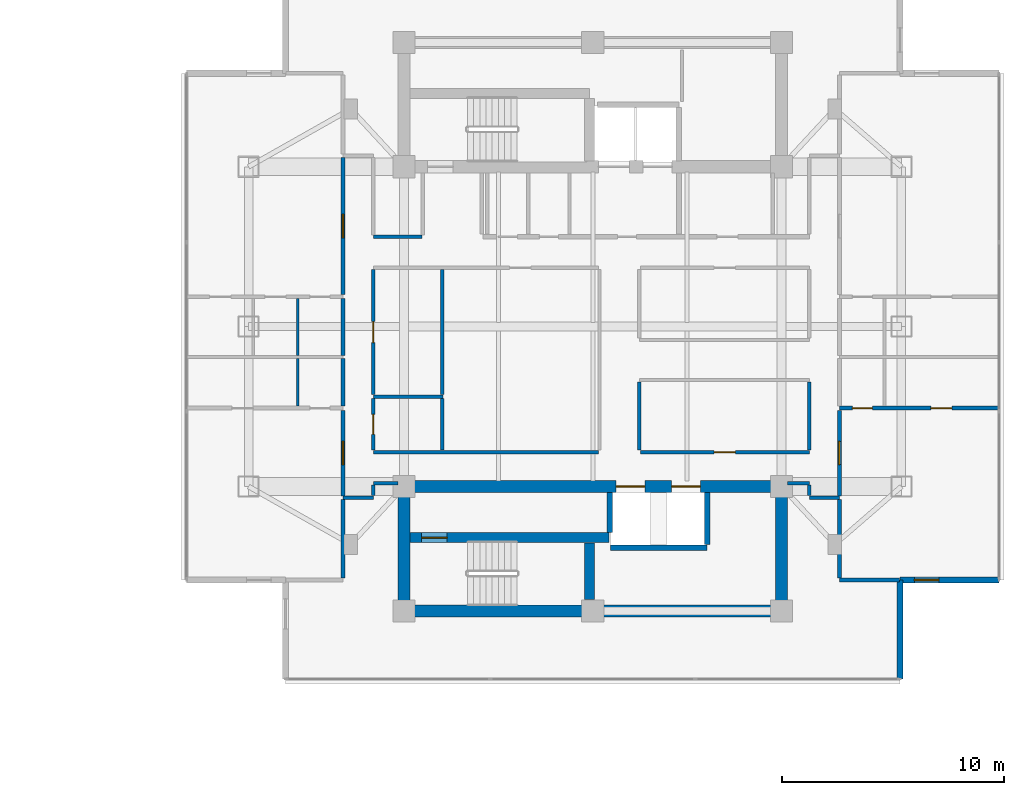
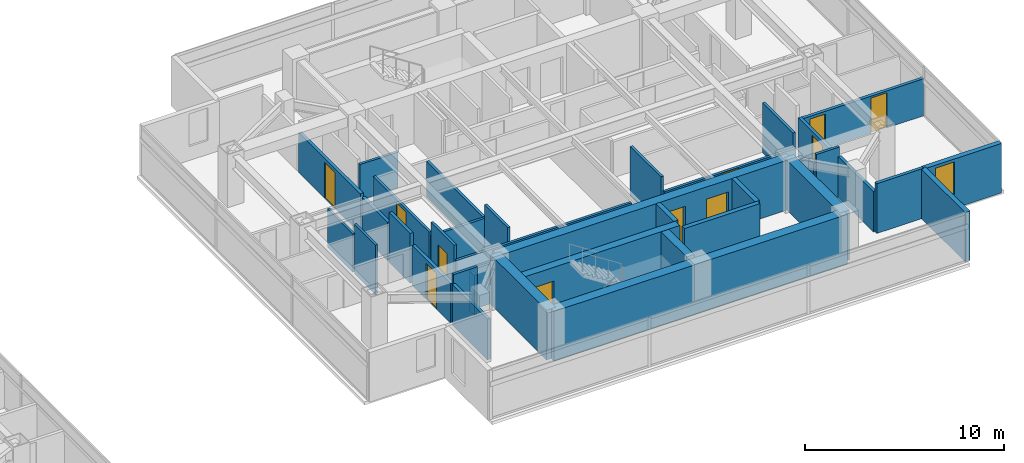
# One storey, part 17 of 25: 38 walls, 11 doors, 1 window, 12 openings.
"""IFC4 building model written with IfcOpenShell, lengths in metres."""

from ifc_helpers import new_model, si_unit, direction, frame, frame_2d, origin, place, context, subcontext, project, spatial, rectangle, extrude, material, layer, layer_set, type_object, element, fill, save


model = new_model("IFC4")

# Units and contexts
model_context = context("Model", 3, precision=1e-05, world=origin(), true_north=direction((0.0, 1.0)))
body_context = subcontext(model_context, "Body", "Model", "MODEL_VIEW")
ifc_project = project(units=[si_unit("LENGTHUNIT", "METRE"), si_unit("AREAUNIT", "SQUARE_METRE"), si_unit("VOLUMEUNIT", "CUBIC_METRE"), si_unit("PLANEANGLEUNIT", "RADIAN"), si_unit("MASSUNIT", "GRAM", prefix="KILO")], contexts=[model_context])

# Site, building, storey
site_placement = place(None, origin())
site = spatial("IfcSite", under=ifc_project, at=site_placement, CompositionType="ELEMENT")
building_placement = place(site_placement, origin())
building = spatial("IfcBuilding", under=site, at=building_placement, Name="Mirazonda Arch Towers", CompositionType="ELEMENT")
storey_placement = place(building_placement, frame((0.0, 0.0, 177.14990234375)))
storey = spatial("IfcBuildingStorey", under=building, at=storey_placement, Name="L50", CompositionType="ELEMENT", Elevation=177.14990234375)

# Wall, opening, door
ifc_material_1 = material(Name="Concrete C50/60", Category="concrete")
ifc_layer_1 = layer(ifc_material_1, 0.449951171875, Name="WALL-CORE-450")
ifc_layer_set_1 = layer_set([ifc_layer_1], Name="Concrete C50/60")
wall_type_1 = type_object("IfcWallType", Name="WALL-CORE-450", PredefinedType="SHEAR", material=ifc_layer_set_1)
wall_1_placement = place(storey_placement, frame((68.27001953125, 18.5, 0.0), z_axis=(0.0, 0.0, 1.0), x_axis=(1.0, 0.0, 0.0)))
wall_1 = element("IfcWall", 1, at=wall_1_placement, inside=storey, type_object=wall_type_1, Name="L50 Stair Core Shear Wall 013", PredefinedType="SHEAR", context=body_context, shape_type="SweptSolid", body=[
    extrude(rectangle(XDim=8.949951171875, YDim=0.449951171875, at=frame_2d((4.47509765625, 0.0))), origin(), (0.0, 0.0, 1.0), 3.050048828125),
])
opening_1_placement = place(wall_1_placement, frame((0.52001953125, 0.0, 0.0)))
opening_1 = element("IfcOpeningElement", 2, at=opening_1_placement, cuts=wall_1, Name="Opening DR-135", PredefinedType="OPENING", context=body_context, shape_type="SweptSolid", body=[
    extrude(rectangle(XDim=1.14990234375, YDim=2.199951171875, at=frame_2d((0.574951171875, 1.10009765625))), frame((0.0, 0.23486328125, 0.0), z_axis=(0.0, -1.0, 0.0), x_axis=(1.0, 0.0, 0.0)), (0.0, 0.0, 1.0), 0.469970703125),
])
ifc_material_2 = material(Name="Architectural Brushed Steel S355", Category="steel")
door_type_1 = type_object("IfcDoorType", Name="DOOR-STAIR-FD90-1150", OperationType="NOTDEFINED", PredefinedType="DOOR", material=ifc_material_2)
door_1_placement = place(opening_1_placement, origin())
door_1 = element("IfcDoor", 3, at=door_1_placement, inside=storey, type_object=door_type_1, Name="L50 East Protected Stair South Door", OperationType="SINGLE_SWING_RIGHT", OverallHeight=2.199951171875, OverallWidth=1.14990234375, PredefinedType="DOOR", context=body_context, shape_type="SweptSolid", body=[
    extrude(rectangle(XDim=1.14990234375, YDim=2.199951171875, at=frame_2d((0.574951171875, 1.10009765625))), frame((0.0, 0.02490234375, 0.0), z_axis=(0.0, -1.0, 0.0), x_axis=(1.0, 0.0, 0.0)), (0.0, 0.0, 1.0), 0.050048828125),
])
fill(opening_1, door_1)

# Walls
wall_2_placement = place(storey_placement, frame((76.360107421875, 15.715087890625, 0.0), z_axis=(0.0, 0.0, 1.0), x_axis=(0.0, 1.0, 0.0)))
element("IfcWall", 4, at=wall_2_placement, inside=storey, type_object=wall_type_1, Name="L50 Stair Core Shear Wall 158", PredefinedType="SHEAR", context=body_context, shape_type="SweptSolid", body=[
    extrude(rectangle(XDim=2.5498046875, YDim=0.449951171875, at=frame_2d((1.27490234375, 0.0))), origin(), (0.0, 0.0, 1.0), 3.050048828125),
])
ifc_layer_2 = layer(ifc_material_1, 0.550048828125, Name="WALL-CORE-550")
ifc_layer_set_2 = layer_set([ifc_layer_2], Name="Concrete C50/60")
wall_type_2 = type_object("IfcWallType", Name="WALL-CORE-550", PredefinedType="SHEAR", material=ifc_layer_set_2)
wall_3_placement = place(storey_placement, frame((68.0, 15.199951171875, 0.0), z_axis=(0.0, 0.0, 1.0), x_axis=(1.0, 0.0, 0.0)))
element("IfcWall", 5, at=wall_3_placement, inside=storey, type_object=wall_type_2, Name="L50 T2S-S Core Shear Wall", PredefinedType="SHEAR", context=body_context, shape_type="SweptSolid", body=[
    extrude(rectangle(XDim=17.0, YDim=0.550048828125, at=frame_2d((8.5, 0.0))), origin(), (0.0, 0.0, 1.0), 3.050048828125),
])
for number, where, z_axis, x_axis, name in (
    (6, (68.0, 15.199951171875, 0.0), (0.0, 0.0, 1.0), (0.0, 1.0, 0.0), "L50 T2S-W Core Shear Wall"),
    (7, (85.0, 15.199951171875, 0.0), (0.0, 0.0, 1.0), (0.0, 1.0, 0.0), "L50 T2S-E Core Shear Wall"),
):
    element("IfcWall", number, at=place(storey_placement, frame(where, z_axis=z_axis, x_axis=x_axis)), inside=storey, type_object=wall_type_2, Name=name, PredefinedType="SHEAR", context=body_context, shape_type="SweptSolid", body=[
        extrude(rectangle(XDim=5.60009765625, YDim=0.550048828125, at=frame_2d((2.800048828125, 0.0))), origin(), (0.0, 0.0, 1.0), 3.050048828125),
    ])

# Wall, openings, doors
wall_4_placement = place(storey_placement, frame((68.0, 20.800048828125, 0.0), z_axis=(0.0, 0.0, 1.0), x_axis=(1.0, 0.0, 0.0)))
wall_4 = element("IfcWall", 8, at=wall_4_placement, inside=storey, type_object=wall_type_2, Name="L50 T2S-N Core Shear Wall", PredefinedType="SHEAR", context=body_context, shape_type="SweptSolid", body=[
    extrude(rectangle(XDim=17.0, YDim=0.550048828125, at=frame_2d((8.5, 0.0))), origin(), (0.0, 0.0, 1.0), 3.050048828125),
])
opening_2_placement = place(wall_4_placement, frame((9.550048828125, 0.0, 0.0)))
opening_2 = element("IfcOpeningElement", 9, at=opening_2_placement, cuts=wall_4, Name="Opening LD-111", PredefinedType="OPENING", context=body_context, shape_type="SweptSolid", body=[
    extrude(rectangle(XDim=1.300048828125, YDim=2.300048828125, at=frame_2d((0.64990234375, 1.14990234375))), frame((0.0, 0.284912109375, 0.0), z_axis=(0.0, -1.0, 0.0), x_axis=(1.0, 0.0, 0.0)), (0.0, 0.0, 1.0), 0.570068359375),
])
opening_3_placement = place(wall_4_placement, frame((12.050048828125, 0.0, 0.0)))
opening_3 = element("IfcOpeningElement", 10, at=opening_3_placement, cuts=wall_4, Name="Opening LD-111", PredefinedType="OPENING", context=body_context, shape_type="SweptSolid", body=[
    extrude(rectangle(XDim=1.300048828125, YDim=2.300048828125, at=frame_2d((0.64990234375, 1.14990234375))), frame((0.0, 0.284912109375, 0.0), z_axis=(0.0, -1.0, 0.0), x_axis=(1.0, 0.0, 0.0)), (0.0, 0.0, 1.0), 0.570068359375),
])
door_type_2 = type_object("IfcDoorType", Name="DOOR-LIFT-LAND-1300", OperationType="NOTDEFINED", PredefinedType="DOOR", material=ifc_material_2)
door_2_placement = place(opening_2_placement, origin())
door_2 = element("IfcDoor", 11, at=door_2_placement, inside=storey, type_object=door_type_2, Name="L50 Lift Landing Sliding Door PL-T2H1", OperationType="DOUBLE_DOOR_SLIDING", OverallHeight=2.300048828125, OverallWidth=1.300048828125, PredefinedType="DOOR", context=body_context, shape_type="SweptSolid", body=[
    extrude(rectangle(XDim=1.300048828125, YDim=2.300048828125, at=frame_2d((0.64990234375, 1.14990234375))), frame((0.0, 0.02490234375, 0.0), z_axis=(0.0, -1.0, 0.0), x_axis=(1.0, 0.0, 0.0)), (0.0, 0.0, 1.0), 0.050048828125),
])
fill(opening_2, door_2)
door_3_placement = place(opening_3_placement, origin())
door_3 = element("IfcDoor", 12, at=door_3_placement, inside=storey, type_object=door_type_2, Name="L50 Lift Landing Sliding Door PL-T2H2", OperationType="DOUBLE_DOOR_SLIDING", OverallHeight=2.300048828125, OverallWidth=1.300048828125, PredefinedType="DOOR", context=body_context, shape_type="SweptSolid", body=[
    extrude(rectangle(XDim=1.300048828125, YDim=2.300048828125, at=frame_2d((0.64990234375, 1.14990234375))), frame((0.0, 0.02490234375, 0.0), z_axis=(0.0, -1.0, 0.0), x_axis=(1.0, 0.0, 0.0)), (0.0, 0.0, 1.0), 0.050048828125),
])
fill(opening_3, door_3)

# Wall, opening, window
ifc_material_3 = material(Name="Precast Concrete C40/50", Category="concrete")
ifc_layer_3 = layer(ifc_material_3, 0.280029296875, Name="WALL-EXT-WALL-280")
ifc_layer_set_3 = layer_set([ifc_layer_3], Name="Precast Concrete C40/50")
wall_type_3 = type_object("IfcWallType", Name="WALL-EXT-WALL-280", PredefinedType="SOLIDWALL", material=ifc_layer_set_3)
wall_5_placement = place(storey_placement, frame((90.333251953125, 16.590576171875, 0.0), z_axis=(0.0, 0.0, 1.0), x_axis=(1.0, 0.0, 0.0)))
wall_5 = element("IfcWall", 13, at=wall_5_placement, inside=storey, type_object=wall_type_3, Name="L50 T2 Corner Notch Return Wall WL-L50-T2-CSE1", PredefinedType="SOLIDWALL", context=body_context, shape_type="SweptSolid", body=[
    extrude(rectangle(XDim=4.46533203125, YDim=0.280029296875, at=frame_2d((2.232666015625, 0.0))), origin(), (0.0, 0.0, 1.0), 3.030029296875),
])
opening_4_placement = place(wall_5_placement, frame((0.64990234375, 0.0, 0.85009765625)))
opening_4 = element("IfcOpeningElement", 14, at=opening_4_placement, cuts=wall_5, Name="Opening WN-108", PredefinedType="OPENING", context=body_context, shape_type="SweptSolid", body=[
    extrude(rectangle(XDim=1.10009765625, YDim=2.0, at=frame_2d((0.550048828125, 1.0))), frame((0.0, 0.14990234375, 0.0), z_axis=(0.0, -1.0, 0.0), x_axis=(1.0, 0.0, 0.0)), (0.0, 0.0, 1.0), 0.300048828125),
])
ifc_material_4 = material(Name="Insulated Low-E Solar Glass", Category="glass")
window_type = type_object("IfcWindowType", Name="WIN-NOTCH-1100x2000", PartitioningType="SINGLE_PANEL", PredefinedType="WINDOW", material=ifc_material_4)
window_placement = place(opening_4_placement, origin())
window = element("IfcWindow", 15, at=window_placement, inside=storey, type_object=window_type, Name="L50 Punched Facade Window WN-L50-T2-CSE1", OverallHeight=2.0, OverallWidth=1.10009765625, PartitioningType="SINGLE_PANEL", PredefinedType="WINDOW", context=body_context, shape_type="SweptSolid", body=[
    extrude(rectangle(XDim=1.10009765625, YDim=2.0, at=frame_2d((0.550048828125, 1.0))), frame((0.0, 0.030029296875, 0.0), z_axis=(0.0, -1.0, 0.0), x_axis=(1.0, 0.0, 0.0)), (0.0, 0.0, 1.0), 0.06005859375),
])
fill(opening_4, window)

# Walls
wall_6_placement = place(storey_placement, frame((90.333251953125, 12.12548828125, 0.0), z_axis=(0.0, 0.0, 1.0), x_axis=(0.0, 1.0, 0.0)))
element("IfcWall", 16, at=wall_6_placement, inside=storey, type_object=wall_type_3, Name="L50 T2 Corner Notch Return Wall WL-L50-T2-CSE2", PredefinedType="SOLIDWALL", context=body_context, shape_type="SweptSolid", body=[
    extrude(rectangle(XDim=4.465087890625, YDim=0.280029296875, at=frame_2d((2.232421875, 0.0))), origin(), (0.0, 0.0, 1.0), 3.030029296875),
])
ifc_material_5 = material(Name="Fire-Rated Gypsum Stud Partition")
ifc_layer_4 = layer(ifc_material_5, 0.14990234375, Name="WALL-PART-CORR-150")
ifc_layer_set_4 = layer_set([ifc_layer_4], Name="Fire-Rated Gypsum Stud Partition")
wall_type_4 = type_object("IfcWallType", Name="WALL-PART-CORR-150", PredefinedType="PARTITIONING", material=ifc_layer_set_4)
wall_7_placement = place(storey_placement, frame((65.25, 20.300048828125, 0.0), z_axis=(0.0, 0.0, 1.0), x_axis=(1.0, 0.0, 0.0)))
element("IfcWall", 17, at=wall_7_placement, inside=storey, type_object=wall_type_4, Name="L50 Interior Partition 017", PredefinedType="PARTITIONING", context=body_context, shape_type="SweptSolid", body=[
    extrude(rectangle(XDim=1.3701171875, YDim=0.14990234375, at=frame_2d((0.68505859375, 0.0))), origin(), (0.0, 0.0, 1.0), 3.050048828125),
])
wall_8_placement = place(storey_placement, frame((86.25, 20.300048828125, 0.0), z_axis=(0.0, 0.0, 1.0), x_axis=(1.0, 0.0, 0.0)))
element("IfcWall", 18, at=wall_8_placement, inside=storey, type_object=wall_type_4, Name="L50 Interior Partition 018", PredefinedType="PARTITIONING", context=body_context, shape_type="SweptSolid", body=[
    extrude(rectangle(XDim=1.35009765625, YDim=0.14990234375, at=frame_2d((0.675048828125, 0.0))), origin(), (0.0, 0.0, 1.0), 3.050048828125),
])
wall_9_placement = place(storey_placement, frame((66.6201171875, 20.949951171875, 0.0), z_axis=(0.0, 0.0, 1.0), x_axis=(1.0, 0.0, 0.0)))
element("IfcWall", 19, at=wall_9_placement, inside=storey, type_object=wall_type_4, Name="L50 Interior Partition 019", PredefinedType="PARTITIONING", context=body_context, shape_type="SweptSolid", body=[
    extrude(rectangle(XDim=1.10986328125, YDim=0.14990234375, at=frame_2d((0.554931640625, 0.0))), origin(), (0.0, 0.0, 1.0), 2.442138671875),
])
wall_10_placement = place(storey_placement, frame((85.27001953125, 20.949951171875, 0.0), z_axis=(0.0, 0.0, 1.0), x_axis=(1.0, 0.0, 0.0)))
element("IfcWall", 20, at=wall_10_placement, inside=storey, type_object=wall_type_4, Name="L50 Interior Partition 020", PredefinedType="PARTITIONING", context=body_context, shape_type="SweptSolid", body=[
    extrude(rectangle(XDim=0.97998046875, YDim=0.14990234375, at=frame_2d((0.489990234375, 0.0))), origin(), (0.0, 0.0, 1.0), 2.442138671875),
])
wall_11_placement = place(storey_placement, frame((66.6201171875, 22.35009765625, 0.0), z_axis=(0.0, 0.0, 1.0), x_axis=(1.0, 0.0, 0.0)))
element("IfcWall", 21, at=wall_11_placement, inside=storey, type_object=wall_type_4, Name="L50 Interior Partition 023", PredefinedType="PARTITIONING", context=body_context, shape_type="SweptSolid", body=[
    extrude(rectangle(XDim=10.139892578125, YDim=0.14990234375, at=frame_2d((5.06982421875, 0.0))), origin(), (0.0, 0.0, 1.0), 2.18603515625),
])

# Wall, opening, door
wall_12_placement = place(storey_placement, frame((78.639892578125, 22.35009765625, 0.0), z_axis=(0.0, 0.0, 1.0), x_axis=(1.0, 0.0, 0.0)))
wall_12 = element("IfcWall", 22, at=wall_12_placement, inside=storey, type_object=wall_type_4, Name="L50 Interior Partition 024", PredefinedType="PARTITIONING", context=body_context, shape_type="SweptSolid", body=[
    extrude(rectangle(XDim=7.610107421875, YDim=0.14990234375, at=frame_2d((3.80517578125, 0.0))), origin(), (0.0, 0.0, 1.0), 2.18603515625),
])
opening_5_placement = place(wall_12_placement, frame((3.330078125, 0.0, 0.0)))
opening_5 = element("IfcOpeningElement", 23, at=opening_5_placement, cuts=wall_12, Name="Opening DR-104", PredefinedType="OPENING", context=body_context, shape_type="SweptSolid", body=[
    extrude(rectangle(XDim=0.949951171875, YDim=2.14990234375, at=frame_2d((0.47509765625, 1.074951171875))), frame((0.0, 0.0849609375, 0.0), z_axis=(0.0, -1.0, 0.0), x_axis=(1.0, 0.0, 0.0)), (0.0, 0.0, 1.0), 0.169921875),
])
door_type_3 = type_object("IfcDoorType", Name="DOOR-ROOM-950", OperationType="NOTDEFINED", PredefinedType="DOOR", material=ifc_material_2)
door_4_placement = place(opening_5_placement, origin())
door_4 = element("IfcDoor", 24, at=door_4_placement, inside=storey, type_object=door_type_3, Name="L50 L50 Tower 2 South-East Salon Door", OperationType="SINGLE_SWING_LEFT", OverallHeight=2.14990234375, OverallWidth=0.949951171875, PredefinedType="DOOR", context=body_context, shape_type="SweptSolid", body=[
    extrude(rectangle(XDim=0.949951171875, YDim=2.14990234375, at=frame_2d((0.47509765625, 1.074951171875))), frame((0.0, 0.02490234375, 0.0), z_axis=(0.0, -1.0, 0.0), x_axis=(1.0, 0.0, 0.0)), (0.0, 0.0, 1.0), 0.050048828125),
])
fill(opening_5, door_4)

# Walls
wall_13_placement = place(storey_placement, frame((66.6201171875, 24.85009765625, 0.0), z_axis=(0.0, 0.0, 1.0), x_axis=(1.0, 0.0, 0.0)))
element("IfcWall", 25, at=wall_13_placement, inside=storey, type_object=wall_type_4, Name="L50 Interior Partition 028", PredefinedType="PARTITIONING", context=body_context, shape_type="SweptSolid", body=[
    extrude(rectangle(XDim=3.1298828125, YDim=0.14990234375, at=frame_2d((1.56494140625, 0.0))), origin(), (0.0, 0.0, 1.0), 2.18603515625),
])
wall_14_placement = place(storey_placement, frame((66.6201171875, 32.050048828125, 0.0), z_axis=(0.0, 0.0, 1.0), x_axis=(1.0, 0.0, 0.0)))
element("IfcWall", 26, at=wall_14_placement, inside=storey, type_object=wall_type_4, Name="L50 Interior Partition 044", PredefinedType="PARTITIONING", context=body_context, shape_type="SweptSolid", body=[
    extrude(rectangle(XDim=2.179931640625, YDim=0.14990234375, at=frame_2d((1.08984375, 0.0))), origin(), (0.0, 0.0, 1.0), 2.18603515625),
])
wall_15_placement = place(storey_placement, frame((66.6201171875, 20.385009765625, 0.0), z_axis=(0.0, 0.0, 1.0), x_axis=(0.0, 1.0, 0.0)))
element("IfcWall", 27, at=wall_15_placement, inside=storey, type_object=wall_type_4, Name="L50 Interior Partition 147", PredefinedType="PARTITIONING", context=body_context, shape_type="SweptSolid", body=[
    extrude(rectangle(XDim=0.47998046875, YDim=0.14990234375, at=frame_2d((0.239990234375, 0.0))), origin(), (0.0, 0.0, 1.0), 2.442138671875),
])

# Wall, opening, door
wall_16_placement = place(storey_placement, frame((66.6201171875, 22.43505859375, 0.0), z_axis=(0.0, 0.0, 1.0), x_axis=(0.0, 1.0, 0.0)))
wall_16 = element("IfcWall", 28, at=wall_16_placement, inside=storey, type_object=wall_type_4, Name="L50 Interior Partition 148", PredefinedType="PARTITIONING", context=body_context, shape_type="SweptSolid", body=[
    extrude(rectangle(XDim=2.329833984375, YDim=0.14990234375, at=frame_2d((1.1650390625, 0.0))), origin(), (0.0, 0.0, 1.0), 3.050048828125),
])
opening_6_placement = place(wall_16_placement, frame((0.715087890625, 0.0, 0.0)))
opening_6 = element("IfcOpeningElement", 29, at=opening_6_placement, cuts=wall_16, Name="Opening DR-120", PredefinedType="OPENING", context=body_context, shape_type="SweptSolid", body=[
    extrude(rectangle(XDim=0.89990234375, YDim=2.10009765625, at=frame_2d((0.449951171875, 1.050048828125))), frame((0.0, 0.0849609375, 0.0), z_axis=(0.0, -1.0, 0.0), x_axis=(1.0, 0.0, 0.0)), (0.0, 0.0, 1.0), 0.169921875),
])
door_type_4 = type_object("IfcDoorType", Name="DOOR-WC-900", OperationType="NOTDEFINED", PredefinedType="DOOR", material=ifc_material_2)
door_5_placement = place(opening_6_placement, origin())
door_5 = element("IfcDoor", 30, at=door_5_placement, inside=storey, type_object=door_type_4, Name="L50 Tower 2 Common Accessible WC Door", OperationType="SINGLE_SWING_LEFT", OverallHeight=2.10009765625, OverallWidth=0.89990234375, PredefinedType="DOOR", context=body_context, shape_type="SweptSolid", body=[
    extrude(rectangle(XDim=0.89990234375, YDim=2.10009765625, at=frame_2d((0.449951171875, 1.050048828125))), frame((0.0, 0.02490234375, 0.0), z_axis=(0.0, -1.0, 0.0), x_axis=(1.0, 0.0, 0.0)), (0.0, 0.0, 1.0), 0.050048828125),
])
fill(opening_6, door_5)

wall_17_placement = place(storey_placement, frame((66.6201171875, 24.93505859375, 0.0), z_axis=(0.0, 0.0, 1.0), x_axis=(0.0, 1.0, 0.0)))
wall_17 = element("IfcWall", 31, at=wall_17_placement, inside=storey, type_object=wall_type_4, Name="L50 Interior Partition 149", PredefinedType="PARTITIONING", context=body_context, shape_type="SweptSolid", body=[
    extrude(rectangle(XDim=5.6298828125, YDim=0.14990234375, at=frame_2d((2.81494140625, 0.0))), origin(), (0.0, 0.0, 1.0), 2.34619140625),
])
opening_7_placement = place(wall_17_placement, frame((2.340087890625, 0.0, 0.0)))
opening_7 = element("IfcOpeningElement", 32, at=opening_7_placement, cuts=wall_17, Name="Opening DR-104", PredefinedType="OPENING", context=body_context, shape_type="SweptSolid", body=[
    extrude(rectangle(XDim=0.949951171875, YDim=2.14990234375, at=frame_2d((0.47509765625, 1.074951171875))), frame((0.0, 0.0849609375, 0.0), z_axis=(0.0, -1.0, 0.0), x_axis=(1.0, 0.0, 0.0)), (0.0, 0.0, 1.0), 0.169921875),
])
door_6_placement = place(opening_7_placement, origin())
door_6 = element("IfcDoor", 33, at=door_6_placement, inside=storey, type_object=door_type_3, Name="L50 L50 East Courtyard Reading Study Door", OperationType="SINGLE_SWING_LEFT", OverallHeight=2.14990234375, OverallWidth=0.949951171875, PredefinedType="DOOR", context=body_context, shape_type="SweptSolid", body=[
    extrude(rectangle(XDim=0.949951171875, YDim=2.14990234375, at=frame_2d((0.47509765625, 1.074951171875))), frame((0.0, 0.02490234375, 0.0), z_axis=(0.0, -1.0, 0.0), x_axis=(1.0, 0.0, 0.0)), (0.0, 0.0, 1.0), 0.050048828125),
])
fill(opening_7, door_6)

# Walls
wall_18_placement = place(storey_placement, frame((69.723388671875, 22.43505859375, 0.0), z_axis=(0.0, 0.0, 1.0), x_axis=(0.0, 1.0, 0.0)))
element("IfcWall", 34, at=wall_18_placement, inside=storey, type_object=wall_type_4, Name="L50 Interior Partition 152", PredefinedType="PARTITIONING", context=body_context, shape_type="SweptSolid", body=[
    extrude(rectangle(XDim=2.329833984375, YDim=0.14990234375, at=frame_2d((1.1650390625, 0.0))), origin(), (0.0, 0.0, 1.0), 3.050048828125),
])
wall_19_placement = place(storey_placement, frame((69.723388671875, 24.93505859375, 0.0), z_axis=(0.0, 0.0, 1.0), x_axis=(0.0, 1.0, 0.0)))
element("IfcWall", 35, at=wall_19_placement, inside=storey, type_object=wall_type_4, Name="L50 Interior Partition 153", PredefinedType="PARTITIONING", context=body_context, shape_type="SweptSolid", body=[
    extrude(rectangle(XDim=5.6298828125, YDim=0.14990234375, at=frame_2d((2.81494140625, 0.0))), origin(), (0.0, 0.0, 1.0), 2.18603515625),
])
wall_20_placement = place(storey_placement, frame((78.60009765625, 22.43505859375, 0.0), z_axis=(0.0, 0.0, 1.0), x_axis=(0.0, 1.0, 0.0)))
element("IfcWall", 36, at=wall_20_placement, inside=storey, type_object=wall_type_4, Name="L50 Interior Partition 162", PredefinedType="PARTITIONING", context=body_context, shape_type="SweptSolid", body=[
    extrude(rectangle(XDim=3.079833984375, YDim=0.14990234375, at=frame_2d((1.5400390625, 0.0))), origin(), (0.0, 0.0, 1.0), 3.050048828125),
])
wall_21_placement = place(storey_placement, frame((86.25, 20.385009765625, 0.0), z_axis=(0.0, 0.0, 1.0), x_axis=(0.0, 1.0, 0.0)))
element("IfcWall", 37, at=wall_21_placement, inside=storey, type_object=wall_type_4, Name="L50 Interior Partition 169", PredefinedType="PARTITIONING", context=body_context, shape_type="SweptSolid", body=[
    extrude(rectangle(XDim=0.47998046875, YDim=0.14990234375, at=frame_2d((0.239990234375, 0.0))), origin(), (0.0, 0.0, 1.0), 2.442138671875),
])
wall_22_placement = place(storey_placement, frame((86.25, 22.43505859375, 0.0), z_axis=(0.0, 0.0, 1.0), x_axis=(0.0, 1.0, 0.0)))
element("IfcWall", 38, at=wall_22_placement, inside=storey, type_object=wall_type_4, Name="L50 Interior Partition 170", PredefinedType="PARTITIONING", context=body_context, shape_type="SweptSolid", body=[
    extrude(rectangle(XDim=3.079833984375, YDim=0.14990234375, at=frame_2d((1.5400390625, 0.0))), origin(), (0.0, 0.0, 1.0), 3.050048828125),
])
ifc_material_6 = material(Name="Fire-Rated Gypsum Twin-Stud Assembly")
ifc_layer_5 = layer(ifc_material_6, 0.179931640625, Name="WALL-PART-DEMISE-180")
ifc_layer_set_5 = layer_set([ifc_layer_5], Name="Fire-Rated Gypsum Twin-Stud Assembly")
wall_type_5 = type_object("IfcWallType", Name="WALL-PART-DEMISE-180", PredefinedType="PARTITIONING", material=ifc_layer_set_5)
wall_23_placement = place(storey_placement, frame((87.60009765625, 16.591064453125, 0.0), z_axis=(0.0, 0.0, 1.0), x_axis=(1.0, 0.0, 0.0)))
element("IfcWall", 39, at=wall_23_placement, inside=storey, type_object=wall_type_5, Name="L50 Interior Partition 009", PredefinedType="PARTITIONING", context=body_context, shape_type="SweptSolid", body=[
    extrude(rectangle(XDim=2.713134765625, YDim=0.179931640625, at=frame_2d((1.3564453125, 0.0))), origin(), (0.0, 0.0, 1.0), 3.050048828125),
])

# Wall, openings, doors
wall_24_placement = place(storey_placement, frame((87.60009765625, 24.33203125, 0.0), z_axis=(0.0, 0.0, 1.0), x_axis=(1.0, 0.0, 0.0)))
wall_24 = element("IfcWall", 40, at=wall_24_placement, inside=storey, type_object=wall_type_5, Name="L50 Interior Partition 027", PredefinedType="PARTITIONING", context=body_context, shape_type="SweptSolid", body=[
    extrude(rectangle(XDim=7.198974609375, YDim=0.179931640625, at=frame_2d((3.599609375, 0.0))), origin(), (0.0, 0.0, 1.0), 2.26904296875),
])
opening_8_placement = place(wall_24_placement, frame((4.12451171875, 0.0, 0.0)))
opening_8 = element("IfcOpeningElement", 41, at=opening_8_placement, cuts=wall_24, Name="Opening DR-104", PredefinedType="OPENING", context=body_context, shape_type="SweptSolid", body=[
    extrude(rectangle(XDim=0.949951171875, YDim=2.14990234375, at=frame_2d((0.47509765625, 1.074951171875))), frame((0.0, 0.099853515625, 0.0), z_axis=(0.0, -1.0, 0.0), x_axis=(1.0, 0.0, 0.0)), (0.0, 0.0, 1.0), 0.199951171875),
])
opening_9_placement = place(wall_24_placement, frame((0.590087890625, 0.0, 0.0)))
opening_9 = element("IfcOpeningElement", 42, at=opening_9_placement, cuts=wall_24, Name="Opening DR-120", PredefinedType="OPENING", context=body_context, shape_type="SweptSolid", body=[
    extrude(rectangle(XDim=0.89990234375, YDim=2.10009765625, at=frame_2d((0.449951171875, 1.050048828125))), frame((0.0, 0.099853515625, 0.0), z_axis=(0.0, -1.0, 0.0), x_axis=(1.0, 0.0, 0.0)), (0.0, 0.0, 1.0), 0.199951171875),
])
door_7_placement = place(opening_8_placement, origin())
door_7 = element("IfcDoor", 43, at=door_7_placement, inside=storey, type_object=door_type_3, Name="L50 Studio 1 Galley Kitchen Door", OperationType="SINGLE_SWING_RIGHT", OverallHeight=2.14990234375, OverallWidth=0.949951171875, PredefinedType="DOOR", context=body_context, shape_type="SweptSolid", body=[
    extrude(rectangle(XDim=0.949951171875, YDim=2.14990234375, at=frame_2d((0.47509765625, 1.074951171875))), frame((0.0, 0.02490234375, 0.0), z_axis=(0.0, -1.0, 0.0), x_axis=(1.0, 0.0, 0.0)), (0.0, 0.0, 1.0), 0.050048828125),
])
fill(opening_8, door_7)
door_8_placement = place(opening_9_placement, origin())
door_8 = element("IfcDoor", 44, at=door_8_placement, inside=storey, type_object=door_type_4, Name="L50 Studio 1 Bathroom Door", OperationType="SINGLE_SWING_LEFT", OverallHeight=2.10009765625, OverallWidth=0.89990234375, PredefinedType="DOOR", context=body_context, shape_type="SweptSolid", body=[
    extrude(rectangle(XDim=0.89990234375, YDim=2.10009765625, at=frame_2d((0.449951171875, 1.050048828125))), frame((0.0, 0.02490234375, 0.0), z_axis=(0.0, -1.0, 0.0), x_axis=(1.0, 0.0, 0.0)), (0.0, 0.0, 1.0), 0.050048828125),
])
fill(opening_9, door_8)

# Wall
wall_25_placement = place(storey_placement, frame((65.25, 16.69091796875, 0.0), z_axis=(0.0, 0.0, 1.0), x_axis=(0.0, 1.0, 0.0)))
element("IfcWall", 45, at=wall_25_placement, inside=storey, type_object=wall_type_5, Name="L50 Interior Partition 141", PredefinedType="PARTITIONING", context=body_context, shape_type="SweptSolid", body=[
    extrude(rectangle(XDim=3.524169921875, YDim=0.179931640625, at=frame_2d((1.76220703125, 0.0))), origin(), (0.0, 0.0, 1.0), 2.4931640625),
])

# Wall, opening, door
wall_26_placement = place(storey_placement, frame((65.25, 20.385009765625, 0.0), z_axis=(0.0, 0.0, 1.0), x_axis=(0.0, 1.0, 0.0)))
wall_26 = element("IfcWall", 46, at=wall_26_placement, inside=storey, type_object=wall_type_5, Name="L50 Interior Partition 142", PredefinedType="PARTITIONING", context=body_context, shape_type="SweptSolid", body=[
    extrude(rectangle(XDim=3.846923828125, YDim=0.179931640625, at=frame_2d((1.92333984375, 0.0))), origin(), (0.0, 0.0, 1.0), 2.442138671875),
])
opening_10_placement = place(wall_26_placement, frame((1.3984375, 0.0, 0.0)))
opening_10 = element("IfcOpeningElement", 47, at=opening_10_placement, cuts=wall_26, Name="Opening DR-121", PredefinedType="OPENING", context=body_context, shape_type="SweptSolid", body=[
    extrude(rectangle(XDim=1.050048828125, YDim=2.199951171875, at=frame_2d((0.52490234375, 1.10009765625))), frame((0.0, 0.099853515625, 0.0), z_axis=(0.0, -1.0, 0.0), x_axis=(1.0, 0.0, 0.0)), (0.0, 0.0, 1.0), 0.199951171875),
])
door_type_5 = type_object("IfcDoorType", Name="DOOR-SUITE-FD60-1050", OperationType="NOTDEFINED", PredefinedType="DOOR", material=ifc_material_2)
door_9_placement = place(opening_10_placement, origin())
door_9 = element("IfcDoor", 48, at=door_9_placement, inside=storey, type_object=door_type_5, Name="L50 Studio Apartment 1 Living Salon Door", OperationType="SINGLE_SWING_RIGHT", OverallHeight=2.199951171875, OverallWidth=1.050048828125, PredefinedType="DOOR", context=body_context, shape_type="SweptSolid", body=[
    extrude(rectangle(XDim=1.050048828125, YDim=2.199951171875, at=frame_2d((0.52490234375, 1.10009765625))), frame((0.0, 0.02490234375, 0.0), z_axis=(0.0, -1.0, 0.0), x_axis=(1.0, 0.0, 0.0)), (0.0, 0.0, 1.0), 0.050048828125),
])
fill(opening_10, door_9)

# Walls
wall_27_placement = place(storey_placement, frame((65.25, 24.431884765625, 0.0), z_axis=(0.0, 0.0, 1.0), x_axis=(0.0, 1.0, 0.0)))
element("IfcWall", 49, at=wall_27_placement, inside=storey, type_object=wall_type_5, Name="L50 Interior Partition 143", PredefinedType="PARTITIONING", context=body_context, shape_type="SweptSolid", body=[
    extrude(rectangle(XDim=2.127685546875, YDim=0.179931640625, at=frame_2d((1.06396484375, 0.0))), origin(), (0.0, 0.0, 1.0), 3.050048828125),
])
wall_28_placement = place(storey_placement, frame((65.25, 26.70458984375, 0.0), z_axis=(0.0, 0.0, 1.0), x_axis=(0.0, 1.0, 0.0)))
element("IfcWall", 50, at=wall_28_placement, inside=storey, type_object=wall_type_5, Name="L50 Interior Partition 144", PredefinedType="PARTITIONING", context=body_context, shape_type="SweptSolid", body=[
    extrude(rectangle(XDim=2.5625, YDim=0.179931640625, at=frame_2d((1.28125, 0.0))), origin(), (0.0, 0.0, 1.0), 2.34619140625),
])

# Wall, opening, door
wall_29_placement = place(storey_placement, frame((65.25, 29.43701171875, 0.0), z_axis=(0.0, 0.0, 1.0), x_axis=(0.0, 1.0, 0.0)))
wall_29 = element("IfcWall", 51, at=wall_29_placement, inside=storey, type_object=wall_type_5, Name="L50 Interior Partition 145", PredefinedType="PARTITIONING", context=body_context, shape_type="SweptSolid", body=[
    extrude(rectangle(XDim=6.177978515625, YDim=0.179931640625, at=frame_2d((3.0888671875, 0.0))), origin(), (0.0, 0.0, 1.0), 2.442138671875),
])
opening_11_placement = place(wall_29_placement, frame((2.56396484375, 0.0, 0.0)))
opening_11 = element("IfcOpeningElement", 52, at=opening_11_placement, cuts=wall_29, Name="Opening DR-121", PredefinedType="OPENING", context=body_context, shape_type="SweptSolid", body=[
    extrude(rectangle(XDim=1.050048828125, YDim=2.199951171875, at=frame_2d((0.52490234375, 1.10009765625))), frame((0.0, 0.099853515625, 0.0), z_axis=(0.0, -1.0, 0.0), x_axis=(1.0, 0.0, 0.0)), (0.0, 0.0, 1.0), 0.199951171875),
])
door_10_placement = place(opening_11_placement, origin())
door_10 = element("IfcDoor", 53, at=door_10_placement, inside=storey, type_object=door_type_5, Name="L50 Residence 2 Living & Dining Salon Door", OperationType="SINGLE_SWING_LEFT", OverallHeight=2.199951171875, OverallWidth=1.050048828125, PredefinedType="DOOR", context=body_context, shape_type="SweptSolid", body=[
    extrude(rectangle(XDim=1.050048828125, YDim=2.199951171875, at=frame_2d((0.52490234375, 1.10009765625))), frame((0.0, 0.02490234375, 0.0), z_axis=(0.0, -1.0, 0.0), x_axis=(1.0, 0.0, 0.0)), (0.0, 0.0, 1.0), 0.050048828125),
])
fill(opening_11, door_10)

# Wall
wall_30_placement = place(storey_placement, frame((87.60009765625, 16.69091796875, 0.0), z_axis=(0.0, 0.0, 1.0), x_axis=(0.0, 1.0, 0.0)))
element("IfcWall", 54, at=wall_30_placement, inside=storey, type_object=wall_type_5, Name="L50 Interior Partition 173", PredefinedType="PARTITIONING", context=body_context, shape_type="SweptSolid", body=[
    extrude(rectangle(XDim=3.524169921875, YDim=0.179931640625, at=frame_2d((1.76220703125, 0.0))), origin(), (0.0, 0.0, 1.0), 2.4931640625),
])

# Wall, opening, door
wall_31_placement = place(storey_placement, frame((87.60009765625, 20.385009765625, 0.0), z_axis=(0.0, 0.0, 1.0), x_axis=(0.0, 1.0, 0.0)))
wall_31 = element("IfcWall", 55, at=wall_31_placement, inside=storey, type_object=wall_type_5, Name="L50 Interior Partition 174", PredefinedType="PARTITIONING", context=body_context, shape_type="SweptSolid", body=[
    extrude(rectangle(XDim=3.846923828125, YDim=0.179931640625, at=frame_2d((1.92333984375, 0.0))), origin(), (0.0, 0.0, 1.0), 2.442138671875),
])
opening_12_placement = place(wall_31_placement, frame((1.3984375, 0.0, 0.0)))
opening_12 = element("IfcOpeningElement", 56, at=opening_12_placement, cuts=wall_31, Name="Opening DR-121", PredefinedType="OPENING", context=body_context, shape_type="SweptSolid", body=[
    extrude(rectangle(XDim=1.050048828125, YDim=2.199951171875, at=frame_2d((0.52490234375, 1.10009765625))), frame((0.0, 0.099853515625, 0.0), z_axis=(0.0, -1.0, 0.0), x_axis=(1.0, 0.0, 0.0)), (0.0, 0.0, 1.0), 0.199951171875),
])
door_11_placement = place(opening_12_placement, origin())
door_11 = element("IfcDoor", 57, at=door_11_placement, inside=storey, type_object=door_type_5, Name="L50 Studio Apartment 1 Living Salon Door", OperationType="SINGLE_SWING_LEFT", OverallHeight=2.199951171875, OverallWidth=1.050048828125, PredefinedType="DOOR", context=body_context, shape_type="SweptSolid", body=[
    extrude(rectangle(XDim=1.050048828125, YDim=2.199951171875, at=frame_2d((0.52490234375, 1.10009765625))), frame((0.0, 0.02490234375, 0.0), z_axis=(0.0, -1.0, 0.0), x_axis=(1.0, 0.0, 0.0)), (0.0, 0.0, 1.0), 0.050048828125),
])
fill(opening_12, door_11)

# Walls
ifc_material_7 = material(Name="Acoustic Fire-Rated Gypsum Partition")
ifc_layer_6 = layer(ifc_material_7, 0.125, Name="WALL-PART-UNIT-125")
ifc_layer_set_6 = layer_set([ifc_layer_6], Name="Acoustic Fire-Rated Gypsum Partition")
wall_type_6 = type_object("IfcWallType", Name="WALL-PART-UNIT-125", PredefinedType="PARTITIONING", material=ifc_layer_set_6)
wall_32_placement = place(storey_placement, frame((63.2099609375, 24.431884765625, 0.0), z_axis=(0.0, 0.0, 1.0), x_axis=(0.0, 1.0, 0.0)))
element("IfcWall", 58, at=wall_32_placement, inside=storey, type_object=wall_type_6, Name="L50 Interior Partition 139", PredefinedType="PARTITIONING", context=body_context, shape_type="SweptSolid", body=[
    extrude(rectangle(XDim=2.127685546875, YDim=0.125, at=frame_2d((1.06396484375, 0.0))), origin(), (0.0, 0.0, 1.0), 3.050048828125),
])
wall_33_placement = place(storey_placement, frame((63.2099609375, 26.70458984375, 0.0), z_axis=(0.0, 0.0, 1.0), x_axis=(0.0, 1.0, 0.0)))
element("IfcWall", 59, at=wall_33_placement, inside=storey, type_object=wall_type_6, Name="L50 Interior Partition 140", PredefinedType="PARTITIONING", context=body_context, shape_type="SweptSolid", body=[
    extrude(rectangle(XDim=2.5625, YDim=0.125, at=frame_2d((1.28125, 0.0))), origin(), (0.0, 0.0, 1.0), 2.34619140625),
])
ifc_material_8 = material(Name="Concrete C40/50", Category="concrete")
ifc_layer_7 = layer(ifc_material_8, 0.25, Name="WALL-SHAFT-250")
ifc_layer_set_7 = layer_set([ifc_layer_7], Name="Concrete C40/50")
wall_type_7 = type_object("IfcWallType", Name="WALL-SHAFT-250", PredefinedType="SOLIDWALL", material=ifc_layer_set_7)
wall_34_placement = place(storey_placement, frame((77.300048828125, 18.050048828125, 0.0), z_axis=(0.0, 0.0, 1.0), x_axis=(1.0, 0.0, 0.0)))
element("IfcWall", 60, at=wall_34_placement, inside=storey, type_object=wall_type_7, Name="L50 Interior Partition 010", PredefinedType="SOLIDWALL", context=body_context, shape_type="SweptSolid", body=[
    extrude(rectangle(XDim=4.349853515625, YDim=0.25, at=frame_2d((2.1748046875, 0.0))), origin(), (0.0, 0.0, 1.0), 3.050048828125),
])
wall_35_placement = place(storey_placement, frame((77.260009765625, 18.735107421875, 0.0), z_axis=(0.0, 0.0, 1.0), x_axis=(0.0, 1.0, 0.0)))
element("IfcWall", 61, at=wall_35_placement, inside=storey, type_object=wall_type_7, Name="L50 Interior Partition 161", PredefinedType="SOLIDWALL", context=body_context, shape_type="SweptSolid", body=[
    extrude(rectangle(XDim=1.794921875, YDim=0.25, at=frame_2d((0.8974609375, 0.0))), origin(), (0.0, 0.0, 1.0), 3.050048828125),
])
wall_36_placement = place(storey_placement, frame((81.64990234375, 18.18505859375, 0.0), z_axis=(0.0, 0.0, 1.0), x_axis=(0.0, 1.0, 0.0)))
element("IfcWall", 62, at=wall_36_placement, inside=storey, type_object=wall_type_7, Name="L50 Interior Partition 167", PredefinedType="SOLIDWALL", context=body_context, shape_type="SweptSolid", body=[
    extrude(rectangle(XDim=2.344970703125, YDim=0.25, at=frame_2d((1.17236328125, 0.0))), origin(), (0.0, 0.0, 1.0), 3.050048828125),
])

save(model, "model.ifc")
